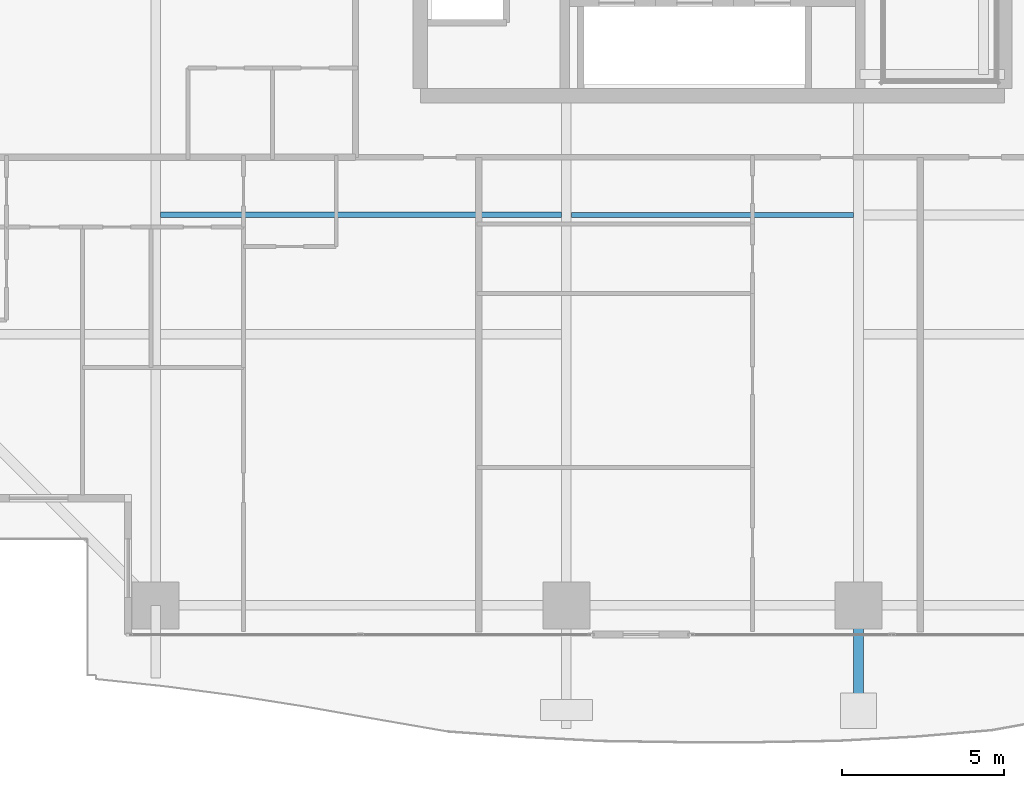
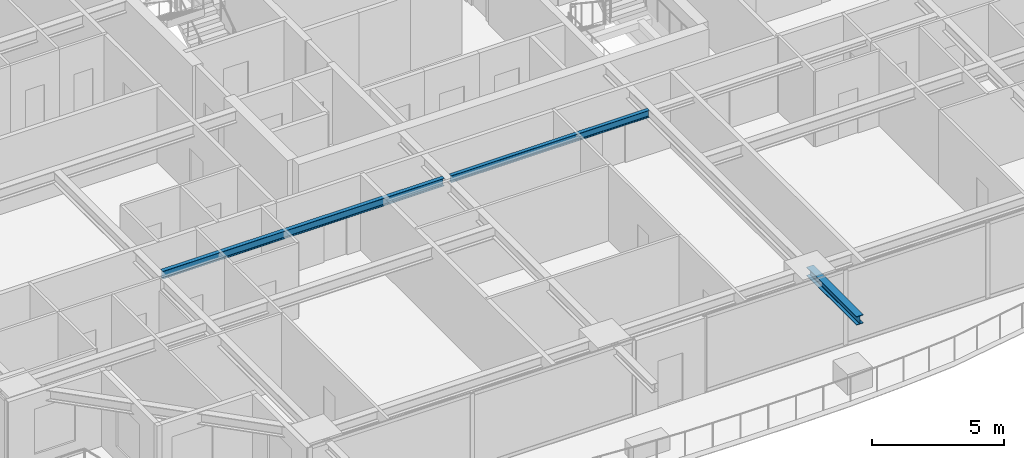
# One storey, part 10 of 41: 3 beams.
"""IFC4 building model written with IfcOpenShell, lengths in metres."""

from ifc_helpers import new_model, si_unit, direction, frame, origin, origin_2d, place, context, subcontext, project, spatial, i_section, extrude, source, transform, mapped, material, material_profile, profile_set, type_object, element, save


model = new_model("IFC4")

# Units and contexts
model_context = context("Model", 3, precision=1e-05, world=origin(), true_north=direction((0.0, 1.0)))
body_context = subcontext(model_context, "Body", "Model", "MODEL_VIEW")
ifc_project = project(units=[si_unit("LENGTHUNIT", "METRE"), si_unit("AREAUNIT", "SQUARE_METRE"), si_unit("VOLUMEUNIT", "CUBIC_METRE"), si_unit("PLANEANGLEUNIT", "RADIAN"), si_unit("MASSUNIT", "GRAM", prefix="KILO")], contexts=[model_context])

# Site, building, storey
site_placement = place(None, origin())
site = spatial("IfcSite", under=ifc_project, at=site_placement, CompositionType="ELEMENT")
building_placement = place(site_placement, origin())
building = spatial("IfcBuilding", under=site, at=building_placement, Name="Serunith Strait Residences", CompositionType="ELEMENT")
storey_placement = place(building_placement, frame((0.0, 0.0, 45.449951171875)))
storey = spatial("IfcBuildingStorey", under=building, at=storey_placement, Name="L10", CompositionType="ELEMENT", Elevation=45.449951171875)

# Beams
ifc_material = material(Name="Steel S355J2", Category="steel")
ifc_material_profile_1 = material_profile(ifc_material, i_section(OverallWidth=0.300048828125, OverallDepth=0.39990234375, WebThickness=0.013427734375, FlangeThickness=0.02392578125, FilletRadius=0.027099609375, at=origin_2d()), Name="HEB 400")
ifc_profile_set_1 = profile_set([ifc_material_profile_1], Name="Steel S355J2")
beam_type_1 = type_object("IfcBeamType", Name="BM-HEB400", PredefinedType="BEAM", material=ifc_profile_set_1)
shared_shape_1 = source(origin(), body_context, "Body", "SweptSolid", [
    extrude(i_section(OverallWidth=0.300048828125, OverallDepth=0.39990234375, WebThickness=0.013427734375, FlangeThickness=0.02392578125, FilletRadius=0.027099609375, at=origin_2d()), origin(), (0.0, 0.0, 1.0), 3.800048828125),
])
beam_1_placement = place(storey_placement, frame((36.89990234375, 1.10009765625, 3.257080078125), z_axis=(0.0, -1.0, 0.0), x_axis=(1.0, 0.0, 0.0)))
element("IfcBeam", 1, at=beam_1_placement, inside=storey, type_object=beam_type_1, Name="L11 Cantilevered Balcony Rib TC-S3", PredefinedType="BEAM", context=body_context, shape_type="MappedRepresentation", body=[
    mapped(shared_shape_1, transform((0.0, 0.0, 0.0), scale=1.0)),
])
ifc_material_profile_2 = material_profile(ifc_material, i_section(OverallWidth=0.169921875, OverallDepth=0.360107421875, WebThickness=0.008056640625, FlangeThickness=0.0126953125, FilletRadius=0.01806640625, at=origin_2d()), Name="IPE 360")
ifc_profile_set_2 = profile_set([ifc_material_profile_2], Name="Steel S355J2")
beam_type_2 = type_object("IfcBeamType", Name="BM-IPE360", PredefinedType="JOIST", material=ifc_profile_set_2)
shared_shape_2 = source(origin(), body_context, "Body", "SweptSolid", [
    extrude(i_section(OverallWidth=0.169921875, OverallDepth=0.360107421875, WebThickness=0.008056640625, FlangeThickness=0.0126953125, FilletRadius=0.01806640625, at=origin_2d()), origin(), (0.0, 0.0, 1.0), 12.35009765625),
])
beam_2_placement = place(storey_placement, frame((15.39990234375, 13.125, 3.30712890625), z_axis=(1.0, 0.0, 0.0), x_axis=(0.0, 1.0, 0.0)))
element("IfcBeam", 2, at=beam_2_placement, inside=storey, type_object=beam_type_2, Name="L10 Composite Floor Joist 01", PredefinedType="JOIST", context=body_context, shape_type="MappedRepresentation", body=[
    mapped(shared_shape_2, transform((0.0, 0.0, 0.0), scale=1.0)),
])
ifc_material_profile_3 = material_profile(ifc_material, i_section(OverallWidth=0.159912109375, OverallDepth=0.330078125, WebThickness=0.007568359375, FlangeThickness=0.011474609375, FilletRadius=0.01806640625, at=origin_2d()), Name="IPE 330")
ifc_profile_set_3 = profile_set([ifc_material_profile_3], Name="Steel S355J2")
beam_type_3 = type_object("IfcBeamType", Name="BM-IPE330", PredefinedType="JOIST", material=ifc_profile_set_3)
shared_shape_3 = source(origin(), body_context, "Body", "SweptSolid", [
    extrude(i_section(OverallWidth=0.159912109375, OverallDepth=0.330078125, WebThickness=0.007568359375, FlangeThickness=0.011474609375, FilletRadius=0.01806640625, at=origin_2d()), origin(), (0.0, 0.0, 1.0), 8.699951171875),
])
beam_3_placement = place(storey_placement, frame((28.050048828125, 13.125, 3.322021484375), z_axis=(1.0, 0.0, 0.0), x_axis=(0.0, 1.0, 0.0)))
element("IfcBeam", 3, at=beam_3_placement, inside=storey, type_object=beam_type_3, Name="L10 Composite Floor Joist 02", PredefinedType="JOIST", context=body_context, shape_type="MappedRepresentation", body=[
    mapped(shared_shape_3, transform((0.0, 0.0, 0.0), scale=1.0)),
])

save(model, "model.ifc")
